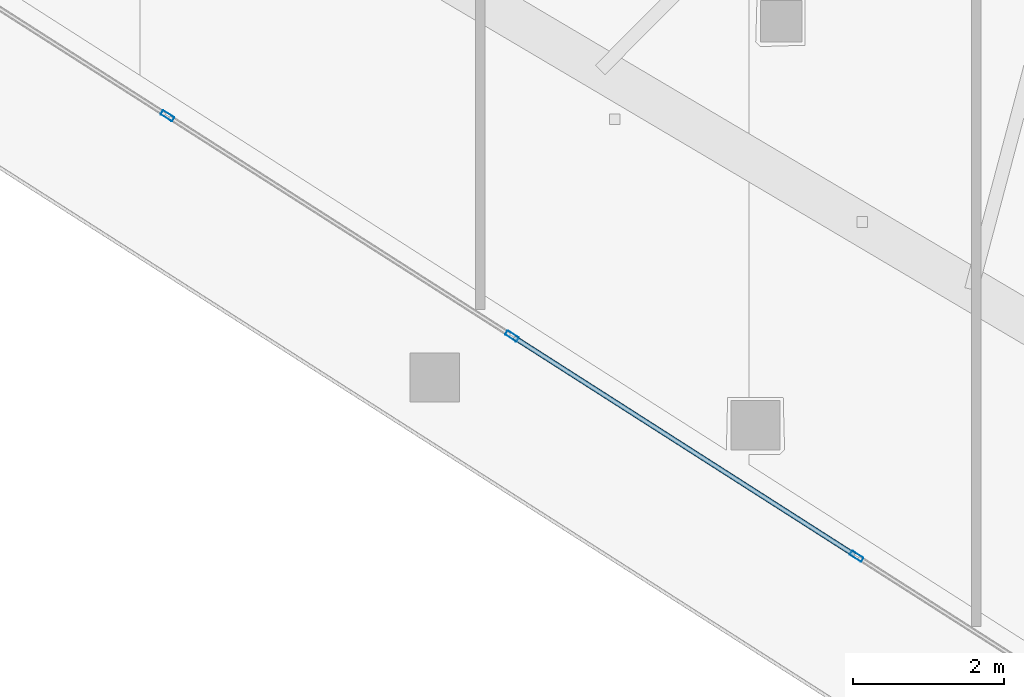
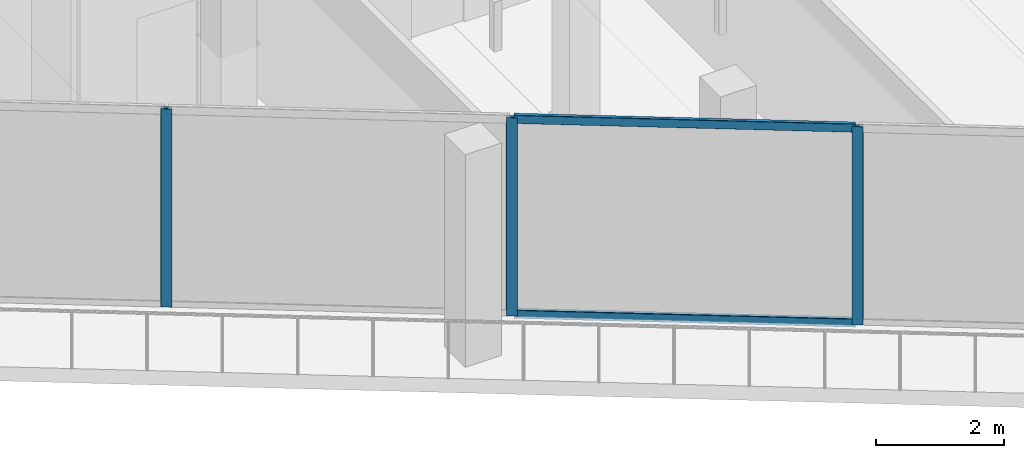
# One storey, part 2 of 38: 5 members, 1 element without a shape of its own.
"""IFC4 building model written with IfcOpenShell, lengths in metres."""

from ifc_helpers import new_model, si_unit, direction, frame, origin, origin_2d, place, context, subcontext, project, spatial, hollow_rectangle, extrude, material, layer, layer_set, material_profile, profile_set, type_object, element, aggregate, save


model = new_model("IFC4")

# Units and contexts
model_context = context("Model", 3, precision=1e-05, world=origin(), true_north=direction((0.0, 1.0)))
body_context = subcontext(model_context, "Body", "Model", "MODEL_VIEW")
ifc_project = project(units=[si_unit("LENGTHUNIT", "METRE"), si_unit("AREAUNIT", "SQUARE_METRE"), si_unit("VOLUMEUNIT", "CUBIC_METRE"), si_unit("PLANEANGLEUNIT", "RADIAN"), si_unit("MASSUNIT", "GRAM", prefix="KILO")], contexts=[model_context])

# Site, building, storey
site_placement = place(None, origin())
site = spatial("IfcSite", under=ifc_project, at=site_placement, CompositionType="ELEMENT")
building_placement = place(site_placement, origin())
building = spatial("IfcBuilding", under=site, at=building_placement, Name="Qorvath Tower", CompositionType="ELEMENT")
storey_placement = place(building_placement, frame((0.0, 0.0, 146.25)))
storey = spatial("IfcBuildingStorey", under=building, at=storey_placement, Name="L33", CompositionType="ELEMENT", Elevation=146.25)

# Curtain wall, members
ifc_material_1 = material(Name="Anodised aluminium and triple low-E glass", Category="aluminium")
ifc_layer = layer(ifc_material_1, 0.179931640625)
ifc_layer_set = layer_set([ifc_layer], Name="CW-SYS-3")
curtain_wall_type = type_object("IfcCurtainWallType", Name="CW-SYS-3", PredefinedType="NOTDEFINED", material=ifc_layer_set)
curtain_wall_placement = place(storey_placement, origin())
curtain_wall = element("IfcCurtainWall", 1, at=curtain_wall_placement, inside=storey, type_object=curtain_wall_type, Name="Curtain Wall CW-3 CW-T-L33-2.1", PredefinedType="NOTDEFINED")
ifc_material_2 = material(Name="Anodised aluminium 6063-T6", Category="aluminium")
ifc_material_profile_1 = material_profile(ifc_material_2, hollow_rectangle(XDim=0.06494140625, YDim=0.179931640625, WallThickness=0.00341796875, InnerFilletRadius=0.00341796875, OuterFilletRadius=0.007080078125, at=origin_2d()), Name="CWM 180x65")
ifc_profile_set_1 = profile_set([ifc_material_profile_1], Name="Anodised aluminium 6063-T6")
member_type_1 = type_object("IfcMemberType", Name="CWM-180", PredefinedType="MULLION", material=ifc_profile_set_1)
member_1_placement = place(storey_placement, frame((-38.78173828125, -15.373779296875, 0.0), z_axis=(0.0, 0.0, 1.0), x_axis=(0.53853296968, 0.842604438967, 0.0)))
member_1 = element("IfcMember", 2, at=member_1_placement, type_object=member_type_1, Name="CW-3 mullion 5", PredefinedType="MULLION", context=body_context, shape_type="SweptSolid", body=[
    extrude(hollow_rectangle(XDim=0.06494140625, YDim=0.179931640625, WallThickness=0.00341796875, InnerFilletRadius=0.00341796875, OuterFilletRadius=0.007080078125, at=origin_2d()), origin(), (0.0, 0.0, 1.0), 3.780029296875),
])
member_2_placement = place(storey_placement, frame((-34.23095703125, -18.2822265625, 0.0), z_axis=(0.0, 0.0, 1.0), x_axis=(0.53853296968, 0.842604438967, 0.0)))
member_2 = element("IfcMember", 3, at=member_2_placement, type_object=member_type_1, Name="CW-3 mullion 6", PredefinedType="MULLION", context=body_context, shape_type="SweptSolid", body=[
    extrude(hollow_rectangle(XDim=0.06494140625, YDim=0.179931640625, WallThickness=0.00341796875, InnerFilletRadius=0.00341796875, OuterFilletRadius=0.007080078125, at=origin_2d()), origin(), (0.0, 0.0, 1.0), 3.780029296875),
])
member_3_placement = place(storey_placement, frame((-29.68017578125, -21.19091796875, 0.0), z_axis=(0.0, 0.0, 1.0), x_axis=(0.53853296968, 0.842604438967, 0.0)))
member_3 = element("IfcMember", 4, at=member_3_placement, type_object=member_type_1, Name="CW-3 mullion 7", PredefinedType="MULLION", context=body_context, shape_type="SweptSolid", body=[
    extrude(hollow_rectangle(XDim=0.06494140625, YDim=0.179931640625, WallThickness=0.00341796875, InnerFilletRadius=0.00341796875, OuterFilletRadius=0.007080078125, at=origin_2d()), origin(), (0.0, 0.0, 1.0), 3.780029296875),
])
ifc_material_3 = material(Name="Anodised aluminium 6063-T6", Category="aluminium")
ifc_material_profile_2 = material_profile(ifc_material_3, hollow_rectangle(XDim=0.06494140625, YDim=0.159912109375, WallThickness=0.00341796875, InnerFilletRadius=0.00341796875, OuterFilletRadius=0.007080078125, at=origin_2d()), Name="CWT 160x65")
ifc_profile_set_2 = profile_set([ifc_material_profile_2], Name="Anodised aluminium 6063-T6")
member_type_2 = type_object("IfcMemberType", Name="CWT-160", PredefinedType="USERDEFINED", material=ifc_profile_set_2)
member_4_placement = place(storey_placement, frame((-34.20361328125, -18.2998046875, 0.032470703125), z_axis=(0.842608601225, -0.538526457234, 0.0), x_axis=(0.538526457234, 0.842608601225, 0.0)))
member_4 = element("IfcMember", 5, at=member_4_placement, type_object=member_type_2, Name="CW-3 transom 6.1", ObjectType="TRANSOM", PredefinedType="USERDEFINED", context=body_context, shape_type="SweptSolid", body=[
    extrude(hollow_rectangle(XDim=0.06494140625, YDim=0.159912109375, WallThickness=0.00341796875, InnerFilletRadius=0.00341796875, OuterFilletRadius=0.007080078125, at=origin_2d()), origin(), (0.0, 0.0, 1.0), 5.3359375),
])
member_5_placement = place(storey_placement, frame((-34.20361328125, -18.2998046875, 3.74755859375), z_axis=(0.842608601225, -0.538526457234, 0.0), x_axis=(0.538526457234, 0.842608601225, 0.0)))
member_5 = element("IfcMember", 6, at=member_5_placement, type_object=member_type_2, Name="CW-3 transom 6.2", ObjectType="TRANSOM", PredefinedType="USERDEFINED", context=body_context, shape_type="SweptSolid", body=[
    extrude(hollow_rectangle(XDim=0.06494140625, YDim=0.159912109375, WallThickness=0.00341796875, InnerFilletRadius=0.00341796875, OuterFilletRadius=0.007080078125, at=origin_2d()), origin(), (0.0, 0.0, 1.0), 5.3359375),
])
aggregate(curtain_wall, [member_1, member_2, member_3, member_4, member_5])

save(model, "model.ifc")
